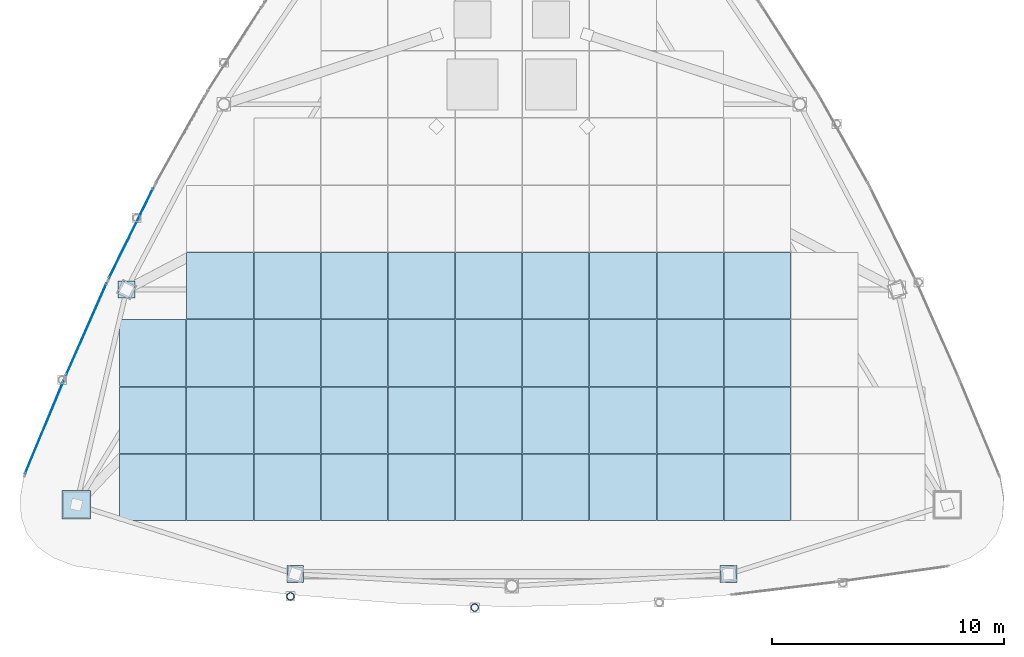
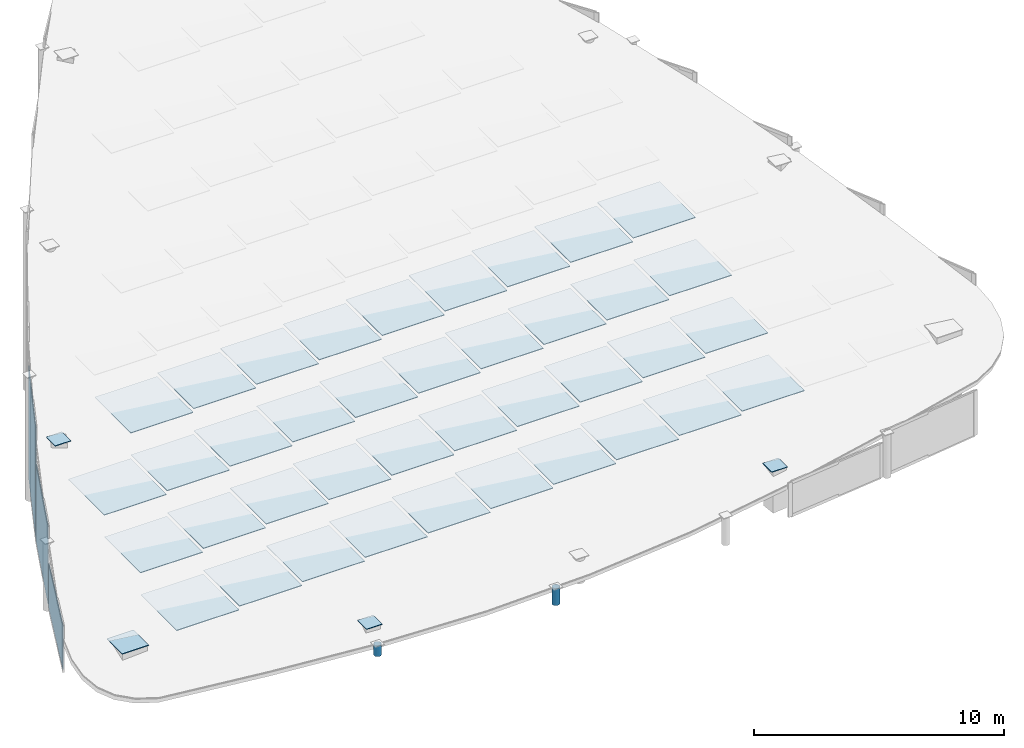
# One storey, part 18 of 21: 46 plates, 2 members, 3 elements without a shape of their own.
"""IFC4 building model written with IfcOpenShell, lengths in metres."""

from ifc_helpers import new_model, si_unit, direction, frame, origin, origin_2d, place, context, subcontext, project, spatial, rectangle, hollow_circle, extrude, material, layer, layer_set, material_profile, profile_set, type_object, element, aggregate, save


model = new_model("IFC4")

# Units and contexts
model_context = context("Model", 3, precision=1e-05, world=origin(), true_north=direction((0.0, 1.0)))
body_context = subcontext(model_context, "Body", "Model", "MODEL_VIEW")
ifc_project = project(units=[si_unit("LENGTHUNIT", "METRE"), si_unit("AREAUNIT", "SQUARE_METRE"), si_unit("VOLUMEUNIT", "CUBIC_METRE"), si_unit("PLANEANGLEUNIT", "RADIAN"), si_unit("MASSUNIT", "GRAM", prefix="KILO")], contexts=[model_context])

# Site, building, storey
site_placement = place(None, origin())
site = spatial("IfcSite", under=ifc_project, at=site_placement, CompositionType="ELEMENT")
building_placement = place(site_placement, origin())
building = spatial("IfcBuilding", under=site, at=building_placement, Name="Orvanel Arch Residences", CompositionType="ELEMENT")
storey_placement = place(building_placement, frame((0.0, 0.0, 314.89990234375)))
storey = spatial("IfcBuildingStorey", under=building, at=storey_placement, Name="RF", CompositionType="ELEMENT", Elevation=314.89990234375)

# Members
ifc_material_1 = material(Name="Structural steel AS/NZS 1163 C350L0 (Grade 350)", Category="steel")
ifc_material_profile = material_profile(ifc_material_1, hollow_circle(Radius=0.162109375, WallThickness=0.0126953125, at=origin_2d()), Name="CHS324x12.7")
ifc_profile_set = profile_set([ifc_material_profile], Name="Structural steel AS/NZS 1163 C350L0 (Grade 350)")
member_type = type_object("IfcMemberType", Name="ST-324CHS-EXT", PredefinedType="STRUT", material=ifc_profile_set)
member_1_placement = place(storey_placement, frame((23.44189453125, 6.39404296875, 0.0), z_axis=(0.0, 0.0, 1.0), x_axis=(1.0, 0.0, 0.0)))
element("IfcMember", 1, at=member_1_placement, inside=storey, type_object=member_type, Name="RF Crown Outer Perimeter Frame Post 05", PredefinedType="STRUT", context=body_context, shape_type="SweptSolid", body=[
    extrude(hollow_circle(Radius=0.162109375, WallThickness=0.0126953125, at=origin_2d()), origin(), (0.0, 0.0, 1.0), 0.525146484375),
])
member_2_placement = place(storey_placement, frame((31.39892578125, 5.908935546875, 0.0), z_axis=(0.0, 0.0, 1.0), x_axis=(1.0, 0.0, 0.0)))
element("IfcMember", 2, at=member_2_placement, inside=storey, type_object=member_type, Name="RF Crown Outer Perimeter Frame Post 06", PredefinedType="STRUT", context=body_context, shape_type="SweptSolid", body=[
    extrude(hollow_circle(Radius=0.162109375, WallThickness=0.0126953125, at=origin_2d()), origin(), (0.0, 0.0, 1.0), 0.8251953125),
])

# Plates
ifc_material_2 = material(Name="Structural steel AS/NZS 3678 Grade 350", Category="steel")
ifc_layer_1 = layer(ifc_material_2, 0.028076171875)
ifc_layer_set_1 = layer_set([ifc_layer_1], Name="Structural steel AS/NZS 3678 Grade 350")
plate_type_1 = type_object("IfcPlateType", Name="PL-CAP-28", PredefinedType="SHEET", material=ifc_layer_set_1)
plate_1_placement = place(storey_placement, frame((14.198974609375, 10.35107421875, 1.4208984375), z_axis=(0.0, 0.0, 1.0), x_axis=(1.0, 0.0, 0.0)))
element("IfcPlate", 3, at=plate_1_placement, inside=storey, type_object=plate_type_1, Name="RF hollow member end cap plate", PredefinedType="SHEET", context=body_context, shape_type="SweptSolid", body=[
    extrude(rectangle(XDim=1.22998046875, YDim=1.22998046875, at=origin_2d()), origin(), (0.0, 0.0, 1.0), 0.028076171875),
])
for number, where, z_axis, x_axis, name in (
    (4, (16.366943359375, 19.64208984375, 4.94189453125), (0.0, 0.0, 1.0), (1.0, 0.0, 0.0), "RF hollow member end cap plate"),
    (5, (23.64892578125, 7.35498046875, 0.89404296875), (0.0, 0.0, 1.0), (1.0, 0.0, 0.0), "RF hollow member end cap plate"),
    (6, (42.35107421875, 7.35498046875, 2.01611328125), (0.0, 0.0, 1.0), (1.0, 0.0, 0.0), "RF hollow member end cap plate"),
):
    element("IfcPlate", number, at=place(storey_placement, frame(where, z_axis=z_axis, x_axis=x_axis)), inside=storey, type_object=plate_type_1, Name=name, PredefinedType="SHEET", context=body_context, shape_type="SweptSolid", body=[
        extrude(rectangle(XDim=0.72998046875, YDim=0.72998046875, at=origin_2d()), origin(), (0.0, 0.0, 1.0), 0.028076171875),
    ])
ifc_material_3 = material(Name="Double-glazed solar-control low-E safety glass", Category="glass")
ifc_layer_2 = layer(ifc_material_3, 0.031982421875)
ifc_layer_set_2 = layer_set([ifc_layer_2], Name="Double-glazed solar-control low-E safety glass")
plate_type_2 = type_object("IfcPlateType", Name="PL-GLZ-32", PredefinedType="SHEET", material=ifc_layer_set_2)
for number, where, z_axis, x_axis, name in (
    (7, (17.5, 11.10009765625, 1.74609375), (0.0, 0.0, 1.0), (1.0, 0.0, 0.0), "RF Crown Fitted Winter-Garden Skylight Glazing Panel 01"),
    (8, (17.5, 14.0, 2.80517578125), (0.0, 0.0, 1.0), (1.0, 0.0, 0.0), "RF Crown Fitted Winter-Garden Skylight Glazing Panel 02"),
    (9, (17.5, 16.89990234375, 3.86328125), (0.0, 0.0, 1.0), (1.0, 0.0, 0.0), "RF Crown Fitted Winter-Garden Skylight Glazing Panel 03"),
    (10, (20.39990234375, 11.10009765625, 1.919921875), (0.0, 0.0, 1.0), (1.0, 0.0, 0.0), "RF Crown Fitted Winter-Garden Skylight Glazing Panel 04"),
    (11, (20.39990234375, 14.0, 2.97802734375), (0.0, 0.0, 1.0), (1.0, 0.0, 0.0), "RF Crown Fitted Winter-Garden Skylight Glazing Panel 05"),
    (12, (20.39990234375, 16.89990234375, 4.037109375), (0.0, 0.0, 1.0), (1.0, 0.0, 0.0), "RF Crown Fitted Winter-Garden Skylight Glazing Panel 06"),
    (13, (20.39990234375, 19.800048828125, 5.09619140625), (0.0, 0.0, 1.0), (1.0, 0.0, 0.0), "RF Crown Fitted Winter-Garden Skylight Glazing Panel 07"),
    (14, (23.300048828125, 11.10009765625, 2.09423828125), (0.0, 0.0, 1.0), (1.0, 0.0, 0.0), "RF Crown Fitted Winter-Garden Skylight Glazing Panel 09"),
    (15, (23.300048828125, 14.0, 3.1533203125), (0.0, 0.0, 1.0), (1.0, 0.0, 0.0), "RF Crown Fitted Winter-Garden Skylight Glazing Panel 10"),
    (16, (23.300048828125, 16.89990234375, 4.2109375), (0.0, 0.0, 1.0), (1.0, 0.0, 0.0), "RF Crown Fitted Winter-Garden Skylight Glazing Panel 11"),
    (17, (23.300048828125, 19.800048828125, 5.27001953125), (0.0, 0.0, 1.0), (1.0, 0.0, 0.0), "RF Crown Fitted Winter-Garden Skylight Glazing Panel 12"),
    (18, (26.199951171875, 11.10009765625, 2.26806640625), (0.0, 0.0, 1.0), (1.0, 0.0, 0.0), "RF Crown Fitted Winter-Garden Skylight Glazing Panel 15"),
    (19, (26.199951171875, 14.0, 3.3271484375), (0.0, 0.0, 1.0), (1.0, 0.0, 0.0), "RF Crown Fitted Winter-Garden Skylight Glazing Panel 16"),
    (20, (26.199951171875, 16.89990234375, 4.38525390625), (0.0, 0.0, 1.0), (1.0, 0.0, 0.0), "RF Crown Fitted Winter-Garden Skylight Glazing Panel 17"),
    (21, (26.199951171875, 19.800048828125, 5.4443359375), (0.0, 0.0, 1.0), (1.0, 0.0, 0.0), "RF Crown Fitted Winter-Garden Skylight Glazing Panel 18"),
    (22, (29.10009765625, 11.10009765625, 2.44189453125), (0.0, 0.0, 1.0), (1.0, 0.0, 0.0), "RF Crown Fitted Winter-Garden Skylight Glazing Panel 23"),
    (23, (29.10009765625, 14.0, 3.5009765625), (0.0, 0.0, 1.0), (1.0, 0.0, 0.0), "RF Crown Fitted Winter-Garden Skylight Glazing Panel 24"),
    (24, (29.10009765625, 16.89990234375, 4.55908203125), (0.0, 0.0, 1.0), (1.0, 0.0, 0.0), "RF Crown Fitted Winter-Garden Skylight Glazing Panel 25"),
    (25, (29.10009765625, 19.800048828125, 5.6181640625), (0.0, 0.0, 1.0), (1.0, 0.0, 0.0), "RF Crown Fitted Winter-Garden Skylight Glazing Panel 26"),
    (26, (32.0, 11.10009765625, 2.6162109375), (0.0, 0.0, 1.0), (1.0, 0.0, 0.0), "RF Crown Fitted Winter-Garden Skylight Glazing Panel 32"),
    (27, (32.0, 14.0, 3.67529296875), (0.0, 0.0, 1.0), (1.0, 0.0, 0.0), "RF Crown Fitted Winter-Garden Skylight Glazing Panel 33"),
    (28, (32.0, 16.89990234375, 4.73291015625), (0.0, 0.0, 1.0), (1.0, 0.0, 0.0), "RF Crown Fitted Winter-Garden Skylight Glazing Panel 34"),
    (29, (32.0, 19.800048828125, 5.7919921875), (0.0, 0.0, 1.0), (1.0, 0.0, 0.0), "RF Crown Fitted Winter-Garden Skylight Glazing Panel 35"),
    (30, (34.89990234375, 11.10009765625, 2.7900390625), (0.0, 0.0, 1.0), (1.0, 0.0, 0.0), "RF Crown Fitted Winter-Garden Skylight Glazing Panel 42"),
    (31, (34.89990234375, 14.0, 3.84814453125), (0.0, 0.0, 1.0), (1.0, 0.0, 0.0), "RF Crown Fitted Winter-Garden Skylight Glazing Panel 43"),
    (32, (34.89990234375, 16.89990234375, 4.9072265625), (0.0, 0.0, 1.0), (1.0, 0.0, 0.0), "RF Crown Fitted Winter-Garden Skylight Glazing Panel 44"),
    (33, (34.89990234375, 19.800048828125, 5.96630859375), (0.0, 0.0, 1.0), (1.0, 0.0, 0.0), "RF Crown Fitted Winter-Garden Skylight Glazing Panel 45"),
    (34, (37.800048828125, 11.10009765625, 2.9638671875), (0.0, 0.0, 1.0), (1.0, 0.0, 0.0), "RF Crown Fitted Winter-Garden Skylight Glazing Panel 52"),
    (35, (37.800048828125, 14.0, 4.02294921875), (0.0, 0.0, 1.0), (1.0, 0.0, 0.0), "RF Crown Fitted Winter-Garden Skylight Glazing Panel 53"),
    (36, (37.800048828125, 16.89990234375, 5.0810546875), (0.0, 0.0, 1.0), (1.0, 0.0, 0.0), "RF Crown Fitted Winter-Garden Skylight Glazing Panel 54"),
    (37, (37.800048828125, 19.800048828125, 6.13916015625), (0.0, 0.0, 1.0), (1.0, 0.0, 0.0), "RF Crown Fitted Winter-Garden Skylight Glazing Panel 55"),
    (38, (40.699951171875, 11.10009765625, 3.13818359375), (0.0, 0.0, 1.0), (1.0, 0.0, 0.0), "RF Crown Fitted Winter-Garden Skylight Glazing Panel 61"),
    (39, (40.699951171875, 14.0, 4.197265625), (0.0, 0.0, 1.0), (1.0, 0.0, 0.0), "RF Crown Fitted Winter-Garden Skylight Glazing Panel 62"),
    (40, (40.699951171875, 16.89990234375, 5.2548828125), (0.0, 0.0, 1.0), (1.0, 0.0, 0.0), "RF Crown Fitted Winter-Garden Skylight Glazing Panel 63"),
    (41, (40.699951171875, 19.800048828125, 6.31396484375), (0.0, 0.0, 1.0), (1.0, 0.0, 0.0), "RF Crown Fitted Winter-Garden Skylight Glazing Panel 64"),
    (42, (43.60009765625, 11.10009765625, 3.31201171875), (0.0, 0.0, 1.0), (1.0, 0.0, 0.0), "RF Crown Fitted Winter-Garden Skylight Glazing Panel 68"),
    (43, (43.60009765625, 14.0, 4.37109375), (0.0, 0.0, 1.0), (1.0, 0.0, 0.0), "RF Crown Fitted Winter-Garden Skylight Glazing Panel 69"),
    (44, (43.60009765625, 16.89990234375, 5.42919921875), (0.0, 0.0, 1.0), (1.0, 0.0, 0.0), "RF Crown Fitted Winter-Garden Skylight Glazing Panel 70"),
    (45, (43.60009765625, 19.800048828125, 6.48828125), (0.0, 0.0, 1.0), (1.0, 0.0, 0.0), "RF Crown Fitted Winter-Garden Skylight Glazing Panel 71"),
):
    element("IfcPlate", number, at=place(storey_placement, frame(where, z_axis=z_axis, x_axis=x_axis)), inside=storey, type_object=plate_type_2, Name=name, PredefinedType="SHEET", context=body_context, shape_type="SweptSolid", body=[
        extrude(rectangle(XDim=2.8798828125, YDim=2.8798828125, at=origin_2d()), origin(), (0.0, 0.0, 1.0), 0.031982421875),
    ])

# Curtain wall, plate
ifc_material_4 = material(Name="Bronze-anodised aluminium AA6063-T6", Category="aluminium")
ifc_layer_3 = layer(ifc_material_4, 0.2099609375)
ifc_layer_set_3 = layer_set([ifc_layer_3], Name="Bronze-anodised aluminium AA6063-T6")
curtain_wall_type = type_object("IfcCurtainWallType", Name="CW7-TOP-SYS", PredefinedType="NOTDEFINED", material=ifc_layer_set_3)
curtain_wall_1_placement = place(storey_placement, origin())
curtain_wall_1 = element("IfcCurtainWall", 46, at=curtain_wall_1_placement, inside=storey, type_object=curtain_wall_type, Name="RF CW7-TOP-SYS Unitised Curtain Wall", PredefinedType="NOTDEFINED")
ifc_layer_4 = layer(ifc_material_3, 0.031982421875)
ifc_layer_set_4 = layer_set([ifc_layer_4], Name="Double-glazed solar-control low-E safety glass")
plate_type_3 = type_object("IfcPlateType", Name="PNL-GLZ-32", PredefinedType="CURTAIN_PANEL", material=ifc_layer_set_4)
plate_2_placement = place(storey_placement, frame((16.56005859375, 22.074462890625, 0.06494140625), z_axis=(0.0, 0.0, 1.0), x_axis=(-0.441005431305, -0.897504434284, 0.0)))
plate_2 = element("IfcPlate", 47, at=plate_2_placement, type_object=plate_type_3, Name="CW-S7 panel 1.1", PredefinedType="CURTAIN_PANEL", context=body_context, shape_type="SweptSolid", body=[
    extrude(rectangle(XDim=4.303466796875, YDim=0.031982421875, at=origin_2d()), origin(), (0.0, 0.0, 1.0), 5.445068359375),
])
aggregate(curtain_wall_1, [plate_2])

curtain_wall_2_placement = place(storey_placement, origin())
curtain_wall_2 = element("IfcCurtainWall", 48, at=curtain_wall_2_placement, inside=storey, type_object=curtain_wall_type, Name="RF CW7-TOP-SYS Unitised Curtain Wall", PredefinedType="NOTDEFINED")
plate_3_placement = place(storey_placement, frame((14.625, 17.9208984375, 0.065185546875), z_axis=(0.0, 0.0, 1.0), x_axis=(-0.403772306151, -0.914859510955, 0.0)))
plate_3 = element("IfcPlate", 49, at=plate_3_placement, type_object=plate_type_3, Name="CW-S7 panel 1.1", PredefinedType="CURTAIN_PANEL", context=body_context, shape_type="SweptSolid", body=[
    extrude(rectangle(XDim=4.32275390625, YDim=0.031982421875, at=origin_2d()), origin(), (0.0, 0.0, 1.0), 3.81298828125),
])
aggregate(curtain_wall_2, [plate_3])

curtain_wall_3_placement = place(storey_placement, origin())
curtain_wall_3 = element("IfcCurtainWall", 50, at=curtain_wall_3_placement, inside=storey, type_object=curtain_wall_type, Name="RF CW7-TOP-SYS Unitised Curtain Wall", PredefinedType="NOTDEFINED")
plate_4_placement = place(storey_placement, frame((12.81494140625, 13.6923828125, 0.06494140625), z_axis=(0.0, 0.0, 1.0), x_axis=(-0.38327007658, -0.923636318254, 0.0)))
plate_4 = element("IfcPlate", 51, at=plate_4_placement, type_object=plate_type_3, Name="CW-S7 panel 1.1", PredefinedType="CURTAIN_PANEL", context=body_context, shape_type="SweptSolid", body=[
    extrude(rectangle(XDim=4.337646484375, YDim=0.031982421875, at=origin_2d()), origin(), (0.0, 0.0, 1.0), 2.160888671875),
])
aggregate(curtain_wall_3, [plate_4])

save(model, "model.ifc")
